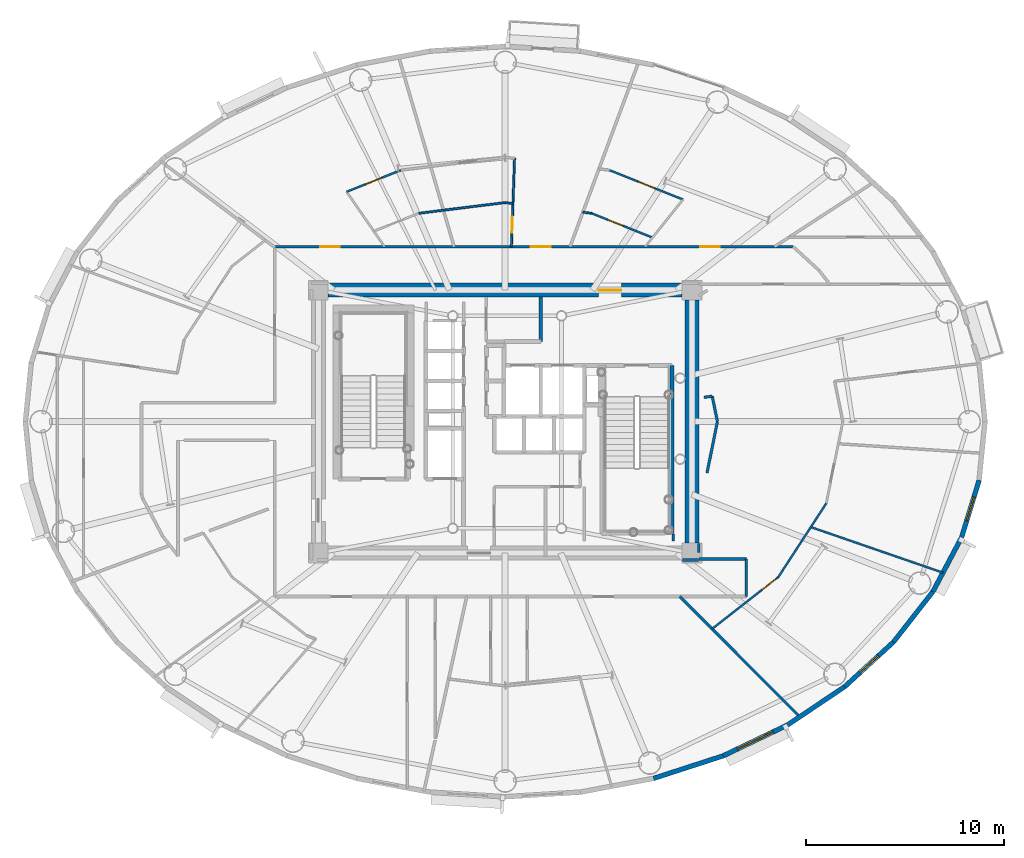
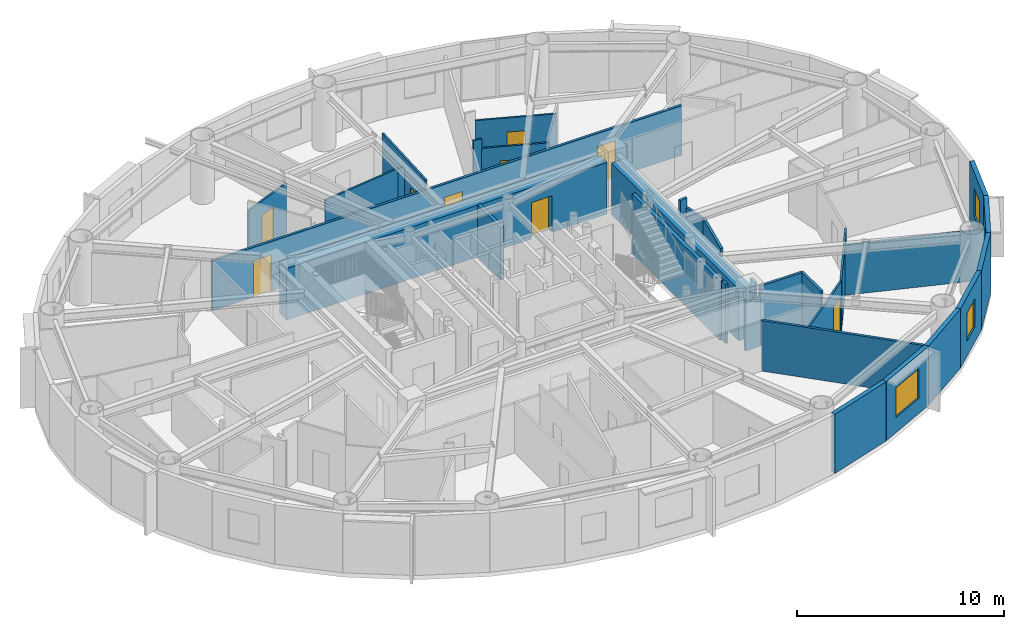
# One storey, part 12 of 22: 31 walls, 9 doors, 3 windows, 12 openings.
"""IFC4 building model written with IfcOpenShell, lengths in metres."""

from ifc_helpers import new_model, si_unit, direction, frame, frame_2d, origin, origin_2d, place, context, subcontext, project, spatial, rectangle, extrude, source, transform, mapped, material, layer, layer_set, type_object, element, fill, save


model = new_model("IFC4")

# Units and contexts
model_context = context("Model", 3, precision=1e-05, world=origin(), true_north=direction((0.0, 1.0)))
body_context = subcontext(model_context, "Body", "Model", "MODEL_VIEW")
ifc_project = project(units=[si_unit("LENGTHUNIT", "METRE"), si_unit("AREAUNIT", "SQUARE_METRE"), si_unit("VOLUMEUNIT", "CUBIC_METRE"), si_unit("PLANEANGLEUNIT", "RADIAN"), si_unit("MASSUNIT", "GRAM", prefix="KILO")], contexts=[model_context])

# Site, building, storey
site_placement = place(None, origin())
site = spatial("IfcSite", under=ifc_project, at=site_placement, CompositionType="ELEMENT")
building_placement = place(site_placement, origin())
building = spatial("IfcBuilding", under=site, at=building_placement, Name="Linh Dai School and Residence Tower", CompositionType="ELEMENT")
storey_placement = place(building_placement, frame((0.0, 0.0, 214.050048828125)))
storey = spatial("IfcBuildingStorey", under=building, at=storey_placement, Name="L52", CompositionType="ELEMENT", Elevation=214.050048828125)

# Wall
ifc_material_1 = material(Name="Precast Concrete B45 (C35/45)", Category="concrete")
ifc_layer_1 = layer(ifc_material_1, 0.239990234375)
ifc_layer_set_1 = layer_set([ifc_layer_1], Name="Precast Concrete B45 (C35/45)")
wall_type_1 = type_object("IfcWallType", Name="EW-TC-240", PredefinedType="SOLIDWALL", material=ifc_layer_set_1)
wall_1_placement = place(storey_placement, frame((47.031005859375, 10.093505859375, 0.0), z_axis=(0.0, 0.0, 1.0), x_axis=(-0.951210789182, -0.308541787354, 0.0)))
element("IfcWall", 1, at=wall_1_placement, inside=storey, type_object=wall_type_1, Name="L52 Terracotta Exterior Wall 33", PredefinedType="SOLIDWALL", context=body_context, shape_type="SweptSolid", body=[
    extrude(rectangle(XDim=3.702392578125, YDim=0.239990234375, at=frame_2d((1.85107421875, 0.0))), origin(), (0.0, 0.0, 1.0), 3.5),
])

# Wall, opening, window
wall_2_placement = place(storey_placement, frame((50.280029296875, 11.65234375, 0.0), z_axis=(0.0, 0.0, 1.0), x_axis=(-0.901598104751, -0.432574684313, 0.0)))
wall_2 = element("IfcWall", 2, at=wall_2_placement, inside=storey, type_object=wall_type_1, Name="L52 Terracotta Exterior Wall 34", PredefinedType="SOLIDWALL", context=body_context, shape_type="SweptSolid", body=[
    extrude(rectangle(XDim=3.603515625, YDim=0.239990234375, at=frame_2d((1.8017578125, 0.0))), origin(), (0.0, 0.0, 1.0), 3.5),
])
opening_1_placement = place(wall_2_placement, frame((0.802001953125, 0.0, 0.89990234375)))
opening_1 = element("IfcOpeningElement", 3, at=opening_1_placement, cuts=wall_2, Name="Opening W1", PredefinedType="OPENING", context=body_context, shape_type="SweptSolid", body=[
    extrude(rectangle(XDim=2.0, YDim=1.75, at=origin_2d()), frame((1.0, 0.1298828125, 0.875), z_axis=(0.0, -1.0, 0.0), x_axis=(1.0, 0.0, 0.0)), (0.0, 0.0, 1.0), 0.260009765625),
])
ifc_material_2 = material(Name="Double Low-E Insulated Glazing", Category="glass")
window_type_1 = type_object("IfcWindowType", Name="WN-RES-2000x1750", PartitioningType="DOUBLE_PANEL_VERTICAL", PredefinedType="WINDOW", material=ifc_material_2)
shared_shape_1 = source(origin(), body_context, "Body", "SweptSolid", [
    extrude(rectangle(XDim=2.0, YDim=1.75, at=origin_2d()), frame((1.0, 0.030029296875, 0.875), z_axis=(0.0, -1.0, 0.0), x_axis=(1.0, 0.0, 0.0)), (0.0, 0.0, 1.0), 0.06005859375),
])
window_1_placement = place(opening_1_placement, origin())
window_1 = element("IfcWindow", 4, at=window_1_placement, inside=storey, type_object=window_type_1, Name="L52 Exterior Window 34.1", OverallHeight=1.75, OverallWidth=2.0, PartitioningType="DOUBLE_PANEL_VERTICAL", PredefinedType="WINDOW", context=body_context, shape_type="MappedRepresentation", body=[
    mapped(shared_shape_1, transform((0.0, 0.0, 0.0), x_axis=(1.0, 0.0, 0.0), y_axis=(0.0, 1.0, 0.0), z_axis=(0.0, 0.0, 1.0), scale=1.0)),
])
fill(opening_1, window_1)

# Wall
wall_3_placement = place(storey_placement, frame((53.17626953125, 13.589111328125, 0.0), z_axis=(0.0, 0.0, 1.0), x_axis=(-0.831262496074, -0.555880079352, 0.0)))
element("IfcWall", 5, at=wall_3_placement, inside=storey, type_object=wall_type_1, Name="L52 Terracotta Exterior Wall 35", PredefinedType="SOLIDWALL", context=body_context, shape_type="SweptSolid", body=[
    extrude(rectangle(XDim=3.484130859375, YDim=0.239990234375, at=frame_2d((1.7421875, 0.0))), origin(), (0.0, 0.0, 1.0), 3.5),
])

# Wall, opening, window
wall_4_placement = place(storey_placement, frame((55.6484375, 15.85546875, 0.0), z_axis=(0.0, 0.0, 1.0), x_axis=(-0.737123922599, -0.675757591694, 0.0)))
wall_4 = element("IfcWall", 6, at=wall_4_placement, inside=storey, type_object=wall_type_1, Name="L52 Terracotta Exterior Wall 36", PredefinedType="SOLIDWALL", context=body_context, shape_type="SweptSolid", body=[
    extrude(rectangle(XDim=3.353759765625, YDim=0.239990234375, at=frame_2d((1.6767578125, 0.0))), origin(), (0.0, 0.0, 1.0), 3.5),
])
opening_2_placement = place(wall_4_placement, frame((1.0517578125, 0.0, 0.89990234375)))
opening_2 = element("IfcOpeningElement", 7, at=opening_2_placement, cuts=wall_4, Name="Opening W3", PredefinedType="OPENING", context=body_context, shape_type="SweptSolid", body=[
    extrude(rectangle(XDim=1.25, YDim=1.64990234375, at=origin_2d()), frame((0.625, 0.1298828125, 0.824951171875), z_axis=(0.0, -1.0, 0.0), x_axis=(1.0, 0.0, 0.0)), (0.0, 0.0, 1.0), 0.260009765625),
])
window_type_2 = type_object("IfcWindowType", Name="WN-RES-1250x1650", PartitioningType="SINGLE_PANEL", PredefinedType="WINDOW", material=ifc_material_2)
shared_shape_2 = source(origin(), body_context, "Body", "SweptSolid", [
    extrude(rectangle(XDim=1.25, YDim=1.64990234375, at=origin_2d()), frame((0.625, 0.030029296875, 0.824951171875), z_axis=(0.0, -1.0, 0.0), x_axis=(1.0, 0.0, 0.0)), (0.0, 0.0, 1.0), 0.06005859375),
])
window_2_placement = place(opening_2_placement, origin())
window_2 = element("IfcWindow", 8, at=window_2_placement, inside=storey, type_object=window_type_2, Name="L52 Dwelling Window U5207-BD1", OverallHeight=1.64990234375, OverallWidth=1.25, PartitioningType="SINGLE_PANEL", PredefinedType="WINDOW", context=body_context, shape_type="MappedRepresentation", body=[
    mapped(shared_shape_2, transform((0.0, 0.0, 0.0), x_axis=(1.0, 0.0, 0.0), y_axis=(0.0, 1.0, 0.0), z_axis=(0.0, 0.0, 1.0), scale=1.0)),
])
fill(opening_2, window_2)

# Walls
wall_5_placement = place(storey_placement, frame((57.6357421875, 18.394775390625, 0.0), z_axis=(0.0, 0.0, 1.0), x_axis=(-0.616312344705, -0.787501805562, 0.0)))
element("IfcWall", 9, at=wall_5_placement, inside=storey, type_object=wall_type_1, Name="L52 Terracotta Exterior Wall 37", PredefinedType="SOLIDWALL", context=body_context, shape_type="SweptSolid", body=[
    extrude(rectangle(XDim=3.224609375, YDim=0.239990234375, at=frame_2d((1.6123046875, 0.0))), origin(), (0.0, 0.0, 1.0), 3.5),
])
wall_6_placement = place(storey_placement, frame((59.09033203125, 21.14404296875, 0.0), z_axis=(0.0, 0.0, 1.0), x_axis=(-0.46766049993, -0.883908172157, 0.0)))
element("IfcWall", 10, at=wall_6_placement, inside=storey, type_object=wall_type_1, Name="L52 Terracotta Exterior Wall 38", PredefinedType="SOLIDWALL", context=body_context, shape_type="SweptSolid", body=[
    extrude(rectangle(XDim=3.1103515625, YDim=0.239990234375, at=frame_2d((1.55517578125, 0.0))), origin(), (0.0, 0.0, 1.0), 3.5),
])

# Wall, opening, window
wall_7_placement = place(storey_placement, frame((59.97705078125, 24.0361328125, 0.0), z_axis=(0.0, 0.0, 1.0), x_axis=(-0.293132907334, -0.95607170162, 0.0)))
wall_7 = element("IfcWall", 11, at=wall_7_placement, inside=storey, type_object=wall_type_1, Name="L52 Terracotta Exterior Wall 39", PredefinedType="SOLIDWALL", context=body_context, shape_type="SweptSolid", body=[
    extrude(rectangle(XDim=3.02490234375, YDim=0.239990234375, at=frame_2d((1.512451171875, 0.0))), origin(), (0.0, 0.0, 1.0), 3.5),
])
opening_3_placement = place(wall_7_placement, frame((0.887451171875, 0.0, 0.89990234375)))
opening_3 = element("IfcOpeningElement", 12, at=opening_3_placement, cuts=wall_7, Name="Opening W3", PredefinedType="OPENING", context=body_context, shape_type="SweptSolid", body=[
    extrude(rectangle(XDim=1.25, YDim=1.64990234375, at=origin_2d()), frame((0.625, 0.1298828125, 0.824951171875), z_axis=(0.0, -1.0, 0.0), x_axis=(1.0, 0.0, 0.0)), (0.0, 0.0, 1.0), 0.260009765625),
])
window_3_placement = place(opening_3_placement, origin())
window_3 = element("IfcWindow", 13, at=window_3_placement, inside=storey, type_object=window_type_2, Name="L52 Exterior Window 39.1", OverallHeight=1.64990234375, OverallWidth=1.25, PartitioningType="SINGLE_PANEL", PredefinedType="WINDOW", context=body_context, shape_type="MappedRepresentation", body=[
    mapped(shared_shape_2, transform((0.0, 0.0, 0.0), x_axis=(1.0, 0.0, 0.0), y_axis=(0.0, 1.0, 0.0), z_axis=(0.0, 0.0, 1.0), scale=1.0)),
])
fill(opening_3, window_3)

# Wall, openings, doors
ifc_material_3 = material(Name="Autoclaved Aerated Concrete Blockwork", Category="masonry")
ifc_layer_2 = layer(ifc_material_3, 0.135009765625)
ifc_layer_set_2 = layer_set([ifc_layer_2], Name="Autoclaved Aerated Concrete Blockwork")
wall_type_2 = type_object("IfcWallType", Name="IW-CORR-135-EI90", PredefinedType="PARTITIONING", material=ifc_layer_set_2)
wall_8_placement = place(storey_placement, frame((24.35009765625, 35.85009765625, 0.0), z_axis=(0.0, 0.0, 1.0), x_axis=(1.0, 0.0, 0.0)))
wall_8 = element("IfcWall", 14, at=wall_8_placement, inside=storey, type_object=wall_type_2, Name="L52 Interior Partition Wall 023", PredefinedType="PARTITIONING", context=body_context, shape_type="SweptSolid", body=[
    extrude(rectangle(XDim=26.2177734375, YDim=0.135009765625, at=frame_2d((13.10888671875, 0.0))), origin(), (0.0, 0.0, 1.0), 2.93505859375),
])
opening_4_placement = place(wall_8_placement, frame((21.506591796875, 0.0, 0.0)))
opening_4 = element("IfcOpeningElement", 15, at=opening_4_placement, cuts=wall_8, Name="Opening D03", PredefinedType="OPENING", context=body_context, shape_type="SweptSolid", body=[
    extrude(rectangle(XDim=1.0, YDim=2.14990234375, at=origin_2d()), frame((0.5, 0.07763671875, 1.074951171875), z_axis=(0.0, -1.0, 0.0), x_axis=(1.0, 0.0, 0.0)), (0.0, 0.0, 1.0), 0.155029296875),
])
opening_5_placement = place(wall_8_placement, frame((12.9501953125, 0.0, 0.0)))
opening_5 = element("IfcOpeningElement", 16, at=opening_5_placement, cuts=wall_8, Name="Opening D03", PredefinedType="OPENING", context=body_context, shape_type="SweptSolid", body=[
    extrude(rectangle(XDim=1.0, YDim=2.14990234375, at=origin_2d()), frame((0.5, 0.07763671875, 1.074951171875), z_axis=(0.0, -1.0, 0.0), x_axis=(1.0, 0.0, 0.0)), (0.0, 0.0, 1.0), 0.155029296875),
])
opening_6_placement = place(wall_8_placement, frame((2.293212890625, 0.0, 0.0)))
opening_6 = element("IfcOpeningElement", 17, at=opening_6_placement, cuts=wall_8, Name="Opening D03", PredefinedType="OPENING", context=body_context, shape_type="SweptSolid", body=[
    extrude(rectangle(XDim=1.0, YDim=2.14990234375, at=origin_2d()), frame((0.5, 0.07763671875, 1.074951171875), z_axis=(0.0, -1.0, 0.0), x_axis=(1.0, 0.0, 0.0)), (0.0, 0.0, 1.0), 0.155029296875),
])
ifc_material_4 = material(Name="Fire-Rated Solid Timber Entrance Door", Category="wood")
door_type_1 = type_object("IfcDoorType", Name="DR-FLAT-1000x2150-FD60S", OperationType="NOTDEFINED", PredefinedType="DOOR", material=ifc_material_4)
shared_shape_3 = source(origin(), body_context, "Body", "SweptSolid", [
    extrude(rectangle(XDim=1.0, YDim=2.14990234375, at=origin_2d()), frame((0.5, 0.02490234375, 1.074951171875), z_axis=(0.0, -1.0, 0.0), x_axis=(1.0, 0.0, 0.0)), (0.0, 0.0, 1.0), 0.050048828125),
])
door_1_placement = place(opening_4_placement, origin())
door_1 = element("IfcDoor", 18, at=door_1_placement, inside=storey, type_object=door_type_1, Name="L52 U5201 Apartment Entrance Door", OperationType="SINGLE_SWING_RIGHT", OverallHeight=2.14990234375, OverallWidth=1.0, PredefinedType="DOOR", context=body_context, shape_type="MappedRepresentation", body=[
    mapped(shared_shape_3, transform((0.0, 0.0, 0.0), x_axis=(1.0, 0.0, 0.0), y_axis=(0.0, 1.0, 0.0), z_axis=(0.0, 0.0, 1.0), scale=1.0)),
])
fill(opening_4, door_1)
door_2_placement = place(opening_5_placement, origin())
door_2 = element("IfcDoor", 19, at=door_2_placement, inside=storey, type_object=door_type_1, Name="L52 U5202 Apartment Entrance Door", OperationType="SINGLE_SWING_LEFT", OverallHeight=2.14990234375, OverallWidth=1.0, PredefinedType="DOOR", context=body_context, shape_type="MappedRepresentation", body=[
    mapped(shared_shape_3, transform((0.0, 0.0, 0.0), x_axis=(1.0, 0.0, 0.0), y_axis=(0.0, 1.0, 0.0), z_axis=(0.0, 0.0, 1.0), scale=1.0)),
])
fill(opening_5, door_2)
door_3_placement = place(opening_6_placement, origin())
door_3 = element("IfcDoor", 20, at=door_3_placement, inside=storey, type_object=door_type_1, Name="L52 U5203 Apartment Entrance Door", OperationType="SINGLE_SWING_RIGHT", OverallHeight=2.14990234375, OverallWidth=1.0, PredefinedType="DOOR", context=body_context, shape_type="MappedRepresentation", body=[
    mapped(shared_shape_3, transform((0.0, 0.0, 0.0), x_axis=(1.0, 0.0, 0.0), y_axis=(0.0, 1.0, 0.0), z_axis=(0.0, 0.0, 1.0), scale=1.0)),
])
fill(opening_6, door_3)

# Walls
wall_9_placement = place(storey_placement, frame((44.83349609375, 18.14990234375, 0.0), z_axis=(0.0, 0.0, 1.0), x_axis=(0.706467502326, -0.707745482612, 0.0)))
element("IfcWall", 21, at=wall_9_placement, inside=storey, type_object=wall_type_2, Name="L52 Interior Partition Wall 082", PredefinedType="PARTITIONING", context=body_context, shape_type="SweptSolid", body=[
    extrude(rectangle(XDim=8.5966796875, YDim=0.135009765625, at=frame_2d((4.29833984375, 0.0))), origin(), (0.0, 0.0, 1.0), 2.98486328125),
])
wall_10_placement = place(storey_placement, frame((45.800048828125, 20.050048828125, 0.0), z_axis=(0.0, 0.0, 1.0), x_axis=(1.0, 0.0, 0.0)))
element("IfcWall", 22, at=wall_10_placement, inside=storey, type_object=wall_type_2, Name="L52 Interior Partition Wall 083", PredefinedType="PARTITIONING", context=body_context, shape_type="SweptSolid", body=[
    extrude(rectangle(XDim=2.39990234375, YDim=0.135009765625, at=frame_2d((1.199951171875, 0.0))), origin(), (0.0, 0.0, 1.0), 3.5),
])
wall_11_placement = place(storey_placement, frame((48.199951171875, 18.14990234375, 0.0), z_axis=(0.0, 0.0, 1.0), x_axis=(0.0, 1.0, 0.0)))
element("IfcWall", 23, at=wall_11_placement, inside=storey, type_object=wall_type_2, Name="L52 Interior Partition Wall 086", PredefinedType="PARTITIONING", context=body_context, shape_type="SweptSolid", body=[
    extrude(rectangle(XDim=1.900146484375, YDim=0.135009765625, at=frame_2d((0.9501953125, 0.0))), origin(), (0.0, 0.0, 1.0), 3.5),
])
wall_12_placement = place(storey_placement, frame((44.5, 20.9599609375, 0.0), z_axis=(0.0, 0.0, 1.0), x_axis=(0.0, 1.0, 0.0)))
element("IfcWall", 24, at=wall_12_placement, inside=storey, type_object=wall_type_2, Name="L52 Interior Partition Wall 102", PredefinedType="PARTITIONING", context=body_context, shape_type="SweptSolid", body=[
    extrude(rectangle(XDim=0.360107421875, YDim=0.135009765625, at=frame_2d((0.18017578125, 0.0))), origin(), (0.0, 0.0, 1.0), 3.5),
])
wall_13_placement = place(storey_placement, frame((44.9599609375, 20.0, 0.0), z_axis=(0.0, 0.0, 1.0), x_axis=(1.0, 0.0, 0.0)))
element("IfcWall", 25, at=wall_13_placement, inside=storey, type_object=wall_type_2, Name="L52 Interior Partition Wall 111", PredefinedType="PARTITIONING", context=body_context, shape_type="SweptSolid", body=[
    extrude(rectangle(XDim=0.830078125, YDim=0.135009765625, at=frame_2d((0.4150390625, 0.0))), origin(), (0.0, 0.0, 1.0), 2.93505859375),
])
wall_14_placement = place(storey_placement, frame((45.800048828125, 20.37744140625, 0.0), z_axis=(0.0, 0.0, 1.0), x_axis=(0.0, 1.0, 0.0)))
element("IfcWall", 26, at=wall_14_placement, inside=storey, type_object=wall_type_2, Name="L52 Interior Partition Wall 116", PredefinedType="PARTITIONING", context=body_context, shape_type="SweptSolid", body=[
    extrude(rectangle(XDim=0.462646484375, YDim=0.135009765625, at=frame_2d((0.2314453125, 0.0))), origin(), (0.0, 0.0, 1.0), 3.5),
])
wall_15_placement = place(storey_placement, frame((46.21044921875, 24.40234375, 0.0), z_axis=(0.0, 0.0, 1.0), x_axis=(0.198330009585, 0.980135300506, 0.0)))
element("IfcWall", 27, at=wall_15_placement, inside=storey, type_object=wall_type_2, Name="L52 Interior Partition Wall 117", PredefinedType="PARTITIONING", context=body_context, shape_type="SweptSolid", body=[
    extrude(rectangle(XDim=2.650390625, YDim=0.135009765625, at=frame_2d((1.3251953125, 0.0))), origin(), (0.0, 0.0, 1.0), 2.93505859375),
])
wall_16_placement = place(storey_placement, frame((46.736083984375, 27.0, 0.0), z_axis=(0.0, 0.0, 1.0), x_axis=(-0.198267784349, 0.980147889703, 0.0)))
element("IfcWall", 28, at=wall_16_placement, inside=storey, type_object=wall_type_2, Name="L52 Interior Partition Wall 118", PredefinedType="PARTITIONING", context=body_context, shape_type="SweptSolid", body=[
    extrude(rectangle(XDim=1.308837890625, YDim=0.135009765625, at=frame_2d((0.654296875, 0.0))), origin(), (0.0, 0.0, 1.0), 2.93505859375),
])
wall_17_placement = place(storey_placement, frame((46.4765625, 28.282958984375, 0.0), z_axis=(0.0, 0.0, 1.0), x_axis=(-0.992649287811, -0.121026407893, 0.0)))
element("IfcWall", 29, at=wall_17_placement, inside=storey, type_object=wall_type_2, Name="L52 Interior Partition Wall 119", PredefinedType="PARTITIONING", context=body_context, shape_type="SweptSolid", body=[
    extrude(rectangle(XDim=0.419677734375, YDim=0.135009765625, at=frame_2d((0.2099609375, 0.0))), origin(), (0.0, 0.0, 1.0), 3.5),
])
ifc_material_5 = material(Name="Concrete B45 (C35/45)", Category="concrete")
ifc_layer_3 = layer(ifc_material_5, 0.199951171875)
ifc_layer_set_3 = layer_set([ifc_layer_3], Name="Concrete B45 (C35/45)")
wall_type_3 = type_object("IfcWallType", Name="IW-SHAFT-200-EI120", PredefinedType="PARTITIONING", material=ifc_layer_set_3)
wall_18_placement = place(storey_placement, frame((37.800048828125, 31.050048828125, 0.0), z_axis=(0.0, 0.0, 1.0), x_axis=(0.0, 1.0, 0.0)))
element("IfcWall", 30, at=wall_18_placement, inside=storey, type_object=wall_type_3, Name="L52 Interior Partition Wall 066", PredefinedType="PARTITIONING", context=body_context, shape_type="SweptSolid", body=[
    extrude(rectangle(XDim=2.25, YDim=0.199951171875, at=frame_2d((1.125, 0.0))), origin(), (0.0, 0.0, 1.0), 3.0849609375),
])
wall_19_placement = place(storey_placement, frame((44.43994140625, 21.330078125, 0.0), z_axis=(0.0, 0.0, 1.0), x_axis=(0.0, 1.0, 0.0)))
element("IfcWall", 31, at=wall_19_placement, inside=storey, type_object=wall_type_3, Name="L52 Interior Partition Wall 081", PredefinedType="PARTITIONING", context=body_context, shape_type="SweptSolid", body=[
    extrude(rectangle(XDim=8.52001953125, YDim=0.199951171875, at=frame_2d((4.260009765625, 0.0))), origin(), (0.0, 0.0, 1.0), 3.5),
])

# Wall, opening, door
ifc_material_6 = material(Name="Gypsum Plasterboard Acoustic Stud Partition", Category="masonry")
ifc_layer_4 = layer(ifc_material_6, 0.10009765625)
ifc_layer_set_4 = layer_set([ifc_layer_4], Name="Gypsum Plasterboard Acoustic Stud Partition")
wall_type_4 = type_object("IfcWallType", Name="IW-UNIT-100", PredefinedType="PARTITIONING", material=ifc_layer_set_4)
wall_20_placement = place(storey_placement, frame((27.98193359375, 38.625732421875, 0.0), z_axis=(0.0, 0.0, 1.0), x_axis=(0.928795965169, 0.370591493542, 0.0)))
wall_20 = element("IfcWall", 32, at=wall_20_placement, inside=storey, type_object=wall_type_4, Name="L52 Interior Partition Wall 027", PredefinedType="PARTITIONING", context=body_context, shape_type="SweptSolid", body=[
    extrude(rectangle(XDim=2.949951171875, YDim=0.10009765625, at=frame_2d((1.47509765625, 0.0))), origin(), (0.0, 0.0, 1.0), 2.93505859375),
])
opening_7_placement = place(wall_20_placement, frame((1.02490234375, 0.0, 0.0)))
opening_7 = element("IfcOpeningElement", 33, at=opening_7_placement, cuts=wall_20, Name="Opening D05", PredefinedType="OPENING", context=body_context, shape_type="SweptSolid", body=[
    extrude(rectangle(XDim=0.89990234375, YDim=2.10009765625, at=origin_2d()), frame((0.449951171875, 0.06005859375, 1.050048828125), z_axis=(0.0, -1.0, 0.0), x_axis=(1.0, 0.0, 0.0)), (0.0, 0.0, 1.0), 0.1201171875),
])
ifc_material_7 = material(Name="Engineered Timber Internal Door", Category="wood")
door_type_2 = type_object("IfcDoorType", Name="DR-INT-900x2100", OperationType="NOTDEFINED", PredefinedType="DOOR", material=ifc_material_7)
shared_shape_4 = source(origin(), body_context, "Body", "SweptSolid", [
    extrude(rectangle(XDim=0.89990234375, YDim=2.10009765625, at=origin_2d()), frame((0.449951171875, 0.02490234375, 1.050048828125), z_axis=(0.0, -1.0, 0.0), x_axis=(1.0, 0.0, 0.0)), (0.0, 0.0, 1.0), 0.050048828125),
])
door_4_placement = place(opening_7_placement, origin())
door_4 = element("IfcDoor", 34, at=door_4_placement, inside=storey, type_object=door_type_2, Name="L52 Apartment U5203 Kitchen Door", OperationType="SINGLE_SWING_LEFT", OverallHeight=2.10009765625, OverallWidth=0.89990234375, PredefinedType="DOOR", context=body_context, shape_type="MappedRepresentation", body=[
    mapped(shared_shape_4, transform((0.0, 0.0, 0.0), x_axis=(1.0, 0.0, 0.0), y_axis=(0.0, 1.0, 0.0), z_axis=(0.0, 0.0, 1.0), scale=1.0)),
])
fill(opening_7, door_4)

# Walls
wall_21_placement = place(storey_placement, frame((31.626708984375, 37.53857421875, 0.0), z_axis=(0.0, 0.0, 1.0), x_axis=(0.992401810072, 0.123039210683, 0.0)))
element("IfcWall", 35, at=wall_21_placement, inside=storey, type_object=wall_type_4, Name="L52 Interior Partition Wall 033", PredefinedType="PARTITIONING", context=body_context, shape_type="SweptSolid", body=[
    extrude(rectangle(XDim=4.406982421875, YDim=0.10009765625, at=frame_2d((2.20361328125, 0.0))), origin(), (0.0, 0.0, 1.0), 2.93505859375),
])
wall_22_placement = place(storey_placement, frame((36.0, 38.080810546875, 0.0), z_axis=(0.0, 0.0, 1.0), x_axis=(0.99240043869, -0.123050271381, 0.0)))
element("IfcWall", 36, at=wall_22_placement, inside=storey, type_object=wall_type_4, Name="L52 Interior Partition Wall 060", PredefinedType="PARTITIONING", context=body_context, shape_type="SweptSolid", body=[
    extrude(rectangle(XDim=0.396728515625, YDim=0.10009765625, at=frame_2d((0.1982421875, 0.0))), origin(), (0.0, 0.0, 1.0), 2.93505859375),
])

# Wall, opening, door
wall_23_placement = place(storey_placement, frame((36.31591796875, 35.85009765625, 0.0), z_axis=(0.0, 0.0, 1.0), x_axis=(0.035687631784, 0.99936299358, 0.0)))
wall_23 = element("IfcWall", 37, at=wall_23_placement, inside=storey, type_object=wall_type_4, Name="L52 Interior Partition Wall 062", PredefinedType="PARTITIONING", context=body_context, shape_type="SweptSolid", body=[
    extrude(rectangle(XDim=4.46728515625, YDim=0.10009765625, at=frame_2d((2.233642578125, 0.0))), origin(), (0.0, 0.0, 1.0), 3.5),
])
opening_8_placement = place(wall_23_placement, frame((0.70166015625, 0.0, 0.0)))
opening_8 = element("IfcOpeningElement", 38, at=opening_8_placement, cuts=wall_23, Name="Opening D06", PredefinedType="OPENING", context=body_context, shape_type="SweptSolid", body=[
    extrude(rectangle(XDim=0.820068359375, YDim=2.10009765625, at=origin_2d()), frame((0.41015625, 0.06005859375, 1.050048828125), z_axis=(0.0, -1.0, 0.0), x_axis=(1.0, 0.0, 0.0)), (0.0, 0.0, 1.0), 0.1201171875),
])
ifc_material_8 = material(Name="Moisture-Resistant Timber Bathroom Door", Category="wood")
door_type_3 = type_object("IfcDoorType", Name="DR-WET-820x2100", OperationType="NOTDEFINED", PredefinedType="DOOR", material=ifc_material_8)
shared_shape_5 = source(origin(), body_context, "Body", "SweptSolid", [
    extrude(rectangle(XDim=0.820068359375, YDim=2.10009765625, at=origin_2d()), frame((0.41015625, 0.02490234375, 1.050048828125), z_axis=(0.0, -1.0, 0.0), x_axis=(1.0, 0.0, 0.0)), (0.0, 0.0, 1.0), 0.050048828125),
])
door_5_placement = place(opening_8_placement, origin())
door_5 = element("IfcDoor", 39, at=door_5_placement, inside=storey, type_object=door_type_3, Name="L52 Apartment U5202 Bathroom Door", OperationType="SINGLE_SWING_RIGHT", OverallHeight=2.10009765625, OverallWidth=0.820068359375, PredefinedType="DOOR", context=body_context, shape_type="MappedRepresentation", body=[
    mapped(shared_shape_5, transform((0.0, 0.0, 0.0), x_axis=(1.0, 0.0, 0.0), y_axis=(0.0, 1.0, 0.0), z_axis=(0.0, 0.0, 1.0), scale=1.0)),
])
fill(opening_8, door_5)

# Wall
wall_24_placement = place(storey_placement, frame((39.931884765625, 37.59326171875, 0.0), z_axis=(0.0, 0.0, 1.0), x_axis=(0.992412401992, -0.122953748919, 0.0)))
element("IfcWall", 40, at=wall_24_placement, inside=storey, type_object=wall_type_4, Name="L52 Interior Partition Wall 072", PredefinedType="PARTITIONING", context=body_context, shape_type="SweptSolid", body=[
    extrude(rectangle(XDim=0.44482421875, YDim=0.10009765625, at=frame_2d((0.222412109375, 0.0))), origin(), (0.0, 0.0, 1.0), 3.5),
])

# Wall, opening, door
wall_25_placement = place(storey_placement, frame((40.373291015625, 37.53857421875, 0.0), z_axis=(0.0, 0.0, 1.0), x_axis=(0.928801257211, -0.370578230071, 0.0)))
wall_25 = element("IfcWall", 41, at=wall_25_placement, inside=storey, type_object=wall_type_4, Name="L52 Interior Partition Wall 075", PredefinedType="PARTITIONING", context=body_context, shape_type="SweptSolid", body=[
    extrude(rectangle(XDim=3.31640625, YDim=0.10009765625, at=frame_2d((1.658203125, 0.0))), origin(), (0.0, 0.0, 1.0), 2.93505859375),
])
opening_9_placement = place(wall_25_placement, frame((0.90966796875, 0.0, 0.0)))
opening_9 = element("IfcOpeningElement", 42, at=opening_9_placement, cuts=wall_25, Name="Opening D06", PredefinedType="OPENING", context=body_context, shape_type="SweptSolid", body=[
    extrude(rectangle(XDim=0.820068359375, YDim=2.10009765625, at=origin_2d()), frame((0.41015625, 0.06005859375, 1.050048828125), z_axis=(0.0, -1.0, 0.0), x_axis=(1.0, 0.0, 0.0)), (0.0, 0.0, 1.0), 0.1201171875),
])
door_6_placement = place(opening_9_placement, origin())
door_6 = element("IfcDoor", 43, at=door_6_placement, inside=storey, type_object=door_type_3, Name="L52 Apartment U5201 Bathroom Door", OperationType="SINGLE_SWING_RIGHT", OverallHeight=2.10009765625, OverallWidth=0.820068359375, PredefinedType="DOOR", context=body_context, shape_type="MappedRepresentation", body=[
    mapped(shared_shape_5, transform((0.0, 0.0, 0.0), x_axis=(1.0, 0.0, 0.0), y_axis=(0.0, 1.0, 0.0), z_axis=(0.0, 0.0, 1.0), scale=1.0)),
])
fill(opening_9, door_6)

wall_26_placement = place(storey_placement, frame((41.278076171875, 39.718994140625, 0.0), z_axis=(0.0, 0.0, 1.0), x_axis=(0.928808650267, -0.3705596999, 0.0)))
wall_26 = element("IfcWall", 44, at=wall_26_placement, inside=storey, type_object=wall_type_4, Name="L52 Interior Partition Wall 079", PredefinedType="PARTITIONING", context=body_context, shape_type="SweptSolid", body=[
    extrude(rectangle(XDim=4.00244140625, YDim=0.10009765625, at=frame_2d((2.001220703125, 0.0))), origin(), (0.0, 0.0, 1.0), 2.93505859375),
])
opening_10_placement = place(wall_26_placement, frame((1.55126953125, 0.0, 0.0)))
opening_10 = element("IfcOpeningElement", 45, at=opening_10_placement, cuts=wall_26, Name="Opening D05", PredefinedType="OPENING", context=body_context, shape_type="SweptSolid", body=[
    extrude(rectangle(XDim=0.89990234375, YDim=2.10009765625, at=origin_2d()), frame((0.449951171875, 0.06005859375, 1.050048828125), z_axis=(0.0, -1.0, 0.0), x_axis=(1.0, 0.0, 0.0)), (0.0, 0.0, 1.0), 0.1201171875),
])
door_7_placement = place(opening_10_placement, origin())
door_7 = element("IfcDoor", 46, at=door_7_placement, inside=storey, type_object=door_type_2, Name="L52 Apartment U5201 Kitchen Door", OperationType="SINGLE_SWING_LEFT", OverallHeight=2.10009765625, OverallWidth=0.89990234375, PredefinedType="DOOR", context=body_context, shape_type="MappedRepresentation", body=[
    mapped(shared_shape_4, transform((0.0, 0.0, 0.0), x_axis=(1.0, 0.0, 0.0), y_axis=(0.0, 1.0, 0.0), z_axis=(0.0, 0.0, 1.0), scale=1.0)),
])
fill(opening_10, door_7)

wall_27_placement = place(storey_placement, frame((46.466064453125, 16.5146484375, 0.0), z_axis=(0.0, 0.0, 1.0), x_axis=(0.787371868093, 0.616478338092, 0.0)))
wall_27 = element("IfcWall", 47, at=wall_27_placement, inside=storey, type_object=wall_type_4, Name="L52 Interior Partition Wall 084", PredefinedType="PARTITIONING", context=body_context, shape_type="SweptSolid", body=[
    extrude(rectangle(XDim=4.25732421875, YDim=0.10009765625, at=frame_2d((2.128662109375, 0.0))), origin(), (0.0, 0.0, 1.0), 2.93505859375),
])
opening_11_placement = place(wall_27_placement, frame((3.206298828125, 0.0, 0.0)))
opening_11 = element("IfcOpeningElement", 48, at=opening_11_placement, cuts=wall_27, Name="Opening D05", PredefinedType="OPENING", context=body_context, shape_type="SweptSolid", body=[
    extrude(rectangle(XDim=0.89990234375, YDim=2.10009765625, at=origin_2d()), frame((0.449951171875, 0.06005859375, 1.050048828125), z_axis=(0.0, -1.0, 0.0), x_axis=(1.0, 0.0, 0.0)), (0.0, 0.0, 1.0), 0.1201171875),
])
door_8_placement = place(opening_11_placement, origin())
door_8 = element("IfcDoor", 49, at=door_8_placement, inside=storey, type_object=door_type_2, Name="L52 Apartment U5207 Principal Bedroom 1 Door", OperationType="SINGLE_SWING_RIGHT", OverallHeight=2.10009765625, OverallWidth=0.89990234375, PredefinedType="DOOR", context=body_context, shape_type="MappedRepresentation", body=[
    mapped(shared_shape_4, transform((0.0, 0.0, 0.0), x_axis=(1.0, 0.0, 0.0), y_axis=(0.0, 1.0, 0.0), z_axis=(0.0, 0.0, 1.0), scale=1.0)),
])
fill(opening_11, door_8)

# Walls
wall_28_placement = place(storey_placement, frame((49.818115234375, 19.13916015625, 0.0), z_axis=(0.0, 0.0, 1.0), x_axis=(0.545406924684, 0.83817139447, 0.0)))
element("IfcWall", 50, at=wall_28_placement, inside=storey, type_object=wall_type_4, Name="L52 Interior Partition Wall 088", PredefinedType="PARTITIONING", context=body_context, shape_type="SweptSolid", body=[
    extrude(rectangle(XDim=4.447998046875, YDim=0.10009765625, at=frame_2d((2.22412109375, 0.0))), origin(), (0.0, 0.0, 1.0), 2.93505859375),
])
wall_29_placement = place(storey_placement, frame((51.4619140625, 21.665283203125, 0.0), z_axis=(0.0, 0.0, 1.0), x_axis=(0.945326038311, -0.326126787142, 0.0)))
element("IfcWall", 51, at=wall_29_placement, inside=storey, type_object=wall_type_4, Name="L52 Interior Partition Wall 091", PredefinedType="PARTITIONING", context=body_context, shape_type="SweptSolid", body=[
    extrude(rectangle(XDim=7.075927734375, YDim=0.10009765625, at=frame_2d((3.5380859375, 0.0))), origin(), (0.0, 0.0, 1.0), 2.98486328125),
])

# Wall, opening, door
ifc_layer_5 = layer(ifc_material_5, 0.699951171875)
ifc_layer_set_5 = layer_set([ifc_layer_5], Name="Concrete B45 (C35/45)")
wall_type_5 = type_object("IfcWallType", Name="WL-CORE700", PredefinedType="SHEAR", material=ifc_layer_set_5)
wall_30_placement = place(storey_placement, frame((27.050048828125, 33.64990234375, 0.0), z_axis=(0.0, 0.0, 1.0), x_axis=(1.0, 0.0, 0.0)))
wall_30 = element("IfcWall", 52, at=wall_30_placement, inside=storey, type_object=wall_type_5, Name="L52 Central Core Shear Wall N", PredefinedType="SHEAR", context=body_context, shape_type="SweptSolid", body=[
    extrude(rectangle(XDim=17.89990234375, YDim=0.699951171875, at=frame_2d((8.949951171875, 0.0))), origin(), (0.0, 0.0, 1.0), 3.050048828125),
])
opening_12_placement = place(wall_30_placement, frame((13.675048828125, 0.0, 0.0)))
opening_12 = element("IfcOpeningElement", 53, at=opening_12_placement, cuts=wall_30, Name="Opening D02", PredefinedType="OPENING", context=body_context, shape_type="SweptSolid", body=[
    extrude(rectangle(XDim=1.14990234375, YDim=2.14990234375, at=origin_2d()), frame((0.574951171875, 0.35986328125, 1.074951171875), z_axis=(0.0, -1.0, 0.0), x_axis=(1.0, 0.0, 0.0)), (0.0, 0.0, 1.0), 0.719970703125),
])
ifc_material_9 = material(Name="Fire-Rated Glazed Steel Lobby Door", Category="steel")
door_type_4 = type_object("IfcDoorType", Name="DR-LOBBY-1150x2150-FD90S", OperationType="NOTDEFINED", PredefinedType="DOOR", material=ifc_material_9)
shared_shape_6 = source(origin(), body_context, "Body", "SweptSolid", [
    extrude(rectangle(XDim=1.14990234375, YDim=2.14990234375, at=origin_2d()), frame((0.574951171875, 0.02490234375, 1.074951171875), z_axis=(0.0, -1.0, 0.0), x_axis=(1.0, 0.0, 0.0)), (0.0, 0.0, 1.0), 0.050048828125),
])
door_9_placement = place(opening_12_placement, origin())
door_9 = element("IfcDoor", 54, at=door_9_placement, inside=storey, type_object=door_type_4, Name="L52 Firefighting Lobby Door", OperationType="SINGLE_SWING_RIGHT", OverallHeight=2.14990234375, OverallWidth=1.14990234375, PredefinedType="DOOR", context=body_context, shape_type="MappedRepresentation", body=[
    mapped(shared_shape_6, transform((0.0, 0.0, 0.0), x_axis=(1.0, 0.0, 0.0), y_axis=(0.0, 1.0, 0.0), z_axis=(0.0, 0.0, 1.0), scale=1.0)),
])
fill(opening_12, door_9)

# Wall
wall_31_placement = place(storey_placement, frame((45.449951171875, 33.14990234375, 0.0), z_axis=(0.0, 0.0, 1.0), x_axis=(0.0, -1.0, 0.0)))
element("IfcWall", 55, at=wall_31_placement, inside=storey, type_object=wall_type_5, Name="L52 Central Core Shear Wall E", PredefinedType="SHEAR", context=body_context, shape_type="SweptSolid", body=[
    extrude(rectangle(XDim=12.2998046875, YDim=0.699951171875, at=frame_2d((6.14990234375, 0.0))), origin(), (0.0, 0.0, 1.0), 3.050048828125),
])

save(model, "model.ifc")
